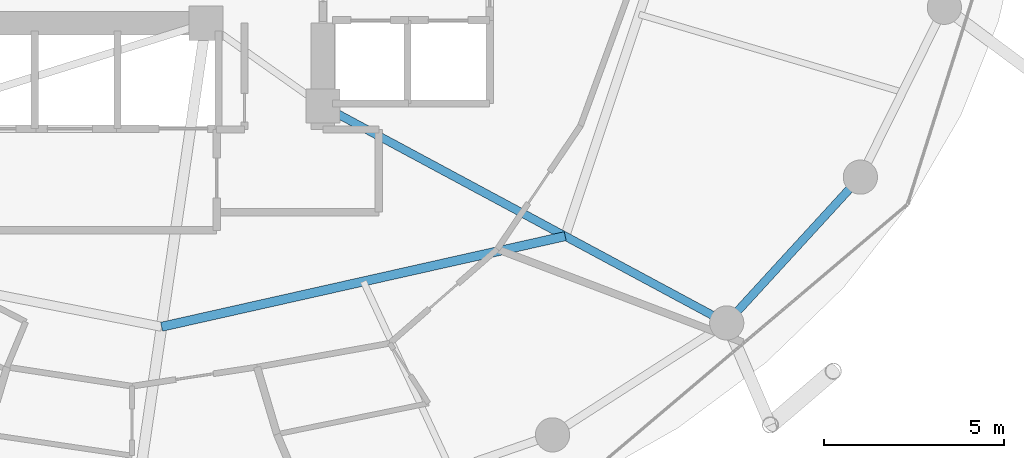
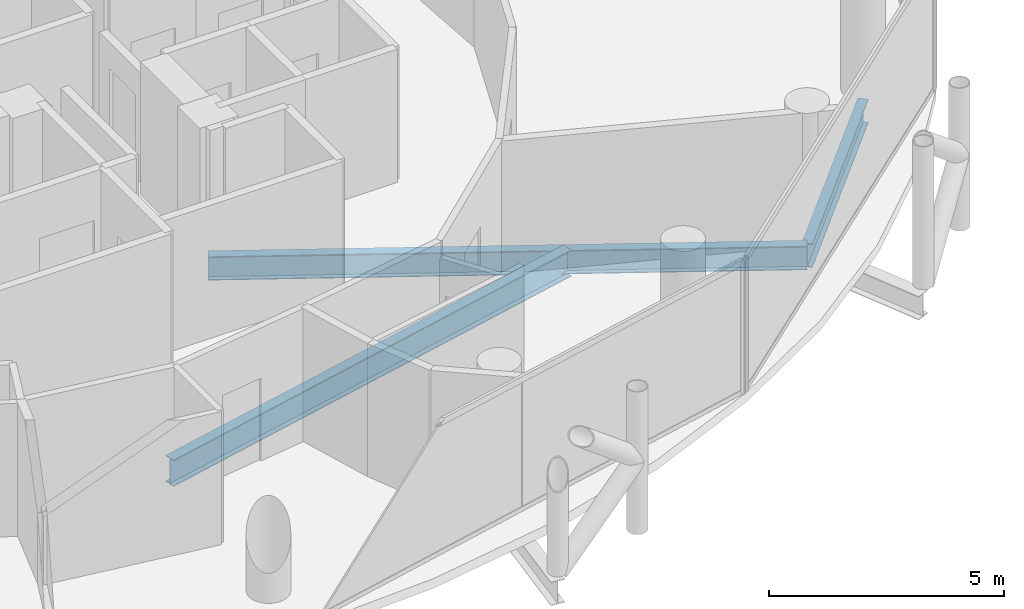
# One storey, part 9 of 26: 3 beams.
"""IFC4 building model written with IfcOpenShell, lengths in metres."""

import ifcopenshell
import ifcopenshell.guid

model = None  # the IFC model being written
_history = None  # IfcOwnerHistory: only IFC2X3 demands one
_inside = {}  # id of a spatial element -> (the spatial element, [elements in it])
_under = {}  # id of a project, library or spatial element -> (it, [spatial elements below it])
_declared = {}  # id of a project -> (the project, [libraries it declares])
_typed = {}  # id of a type object -> (the type object, [elements of that type])
_made_of = {}  # id of a material, layer set ... -> (it, [elements and type objects made of it])


def new_model(schema):
    """Start an empty IFC model of exactly this schema.

    Asked for "IFC4X3", IfcOpenShell would pick the latest addendum, in which some entities
    have other attributes; the version numbers below select the first issue.
    IFC2X3 requires an IfcOwnerHistory on every rooted entity: one is made here for all.
    """
    global model, _history
    if schema == "IFC4X3":
        model = ifcopenshell.file(schema_version=(4, 3, 0, 0))
    else:
        model = ifcopenshell.file(schema=schema)
    _inside.clear()
    _under.clear()
    _declared.clear()
    _typed.clear()
    _made_of.clear()
    _history = None
    if model.schema == "IFC2X3":
        org = make("IfcOrganization", Name="unknown")
        user = make(
            "IfcPersonAndOrganization",
            ThePerson=make("IfcPerson", FamilyName="unknown"),
            TheOrganization=org,
        )
        app = make(
            "IfcApplication",
            ApplicationDeveloper=org,
            Version="unknown",
            ApplicationFullName="unknown",
            ApplicationIdentifier="unknown",
        )
        _history = make(
            "IfcOwnerHistory",
            OwningUser=user,
            OwningApplication=app,
            ChangeAction="ADDED",
            CreationDate=0,
        )
    return model


def make(cls, **values):
    """One entity of the class cls with the attributes given. An attribute that is None is left unset."""
    return model.create_entity(
        cls, **{name: value for name, value in values.items() if value is not None}
    )


def rooted(cls, **values):
    """An entity with a GlobalId (a new one), such as an element, a storey or a relation."""
    return make(cls, GlobalId=ifcopenshell.guid.new(), OwnerHistory=_history, **values)


def si_unit(unit_type, name, prefix=None):
    """IfcSIUnit, for example si_unit("LENGTHUNIT", "METRE", prefix="MILLI")."""
    return make("IfcSIUnit", UnitType=unit_type, Prefix=prefix, Name=name)


def assignment(units):
    """IfcUnitAssignment: the units of a project."""
    return None if units is None else make("IfcUnitAssignment", Units=units)


def point(xyz):
    """IfcCartesianPoint."""
    return None if xyz is None else make("IfcCartesianPoint", Coordinates=xyz)


def direction(xyz):
    """IfcDirection."""
    return None if xyz is None else make("IfcDirection", DirectionRatios=xyz)


def frame(location, z_axis=None, x_axis=None):
    """IfcAxis2Placement3D, a coordinate frame: its origin and axes. An axis left out is left unset."""
    return make(
        "IfcAxis2Placement3D",
        Location=point(location),
        Axis=direction(z_axis),
        RefDirection=direction(x_axis),
    )


def frame_2d(location, x_axis=None):
    """IfcAxis2Placement2D, a coordinate frame in the plane: its origin and x axis."""
    return make(
        "IfcAxis2Placement2D", Location=point(location), RefDirection=direction(x_axis)
    )


def origin():
    """The frame at (0, 0, 0) with its axes left unset."""
    return frame((0.0, 0.0, 0.0))


def origin_2d():
    """The frame at (0, 0) in the plane with its x axis left unset."""
    return frame_2d((0.0, 0.0))


def place(relative_to, where):
    """IfcLocalPlacement: puts the frame where relative to a parent placement (None: the world)."""
    return make(
        "IfcLocalPlacement", PlacementRelTo=relative_to, RelativePlacement=where
    )


def context(
    kind, dimensions, precision=None, world=None, true_north=None, identifier=None
):
    """IfcGeometricRepresentationContext, for example the 3D "Model" context."""
    return make(
        "IfcGeometricRepresentationContext",
        ContextIdentifier=identifier,
        ContextType=kind,
        CoordinateSpaceDimension=dimensions,
        Precision=precision,
        WorldCoordinateSystem=world,
        TrueNorth=true_north,
    )


def subcontext(parent, identifier, kind, view, scale=None):
    """IfcGeometricRepresentationSubContext, for example "Body" below "Model"."""
    return make(
        "IfcGeometricRepresentationSubContext",
        ContextIdentifier=identifier,
        ContextType=kind,
        ParentContext=parent,
        TargetScale=scale,
        TargetView=view,
    )


def project(units=None, contexts=None):
    """IfcProject with its units and contexts."""
    return rooted(
        "IfcProject",
        Name="project",
        RepresentationContexts=contexts,
        UnitsInContext=assignment(units),
    )


def spatial(cls, under=None, at=None, **own):
    """A site, building, storey or space (cls), placed at a placement, below another one or the project."""
    s = rooted(cls, ObjectPlacement=at, **own)
    if under is not None:
        _under.setdefault(under.id(), (under, []))[1].append(s)
    return s


def profile(cls, at=None, kind="AREA", **sizes):
    """A parametric profile (cls). Its sizes go by their IFC names, for example OverallWidth=200.0."""
    return make(cls, ProfileType=kind, Position=at, **sizes)


def i_section(**sizes):
    """IfcIShapeProfileDef."""
    return profile("IfcIShapeProfileDef", **sizes)


def extrude(swept, where, along, depth):
    """IfcExtrudedAreaSolid: the profile swept, set in the frame where, extruded along a direction by depth."""
    return make(
        "IfcExtrudedAreaSolid",
        SweptArea=swept,
        Position=where,
        ExtrudedDirection=direction(along),
        Depth=depth,
    )


def shape(context_of_items, identifier, shape_type, items):
    """IfcShapeRepresentation: the items that make up one representation, for example the "Body"."""
    return make(
        "IfcShapeRepresentation",
        ContextOfItems=context_of_items,
        RepresentationIdentifier=identifier,
        RepresentationType=shape_type,
        Items=items,
    )


def material(Name=None, Category=None):
    """IfcMaterial."""
    return make("IfcMaterial", Name=Name, Category=Category)


def material_profile(
    of_material, cross_section, Name=None, Category=None, Priority=None
):
    """IfcMaterialProfile: a cross section and its material."""
    return make(
        "IfcMaterialProfile",
        Name=Name,
        Material=of_material,
        Profile=cross_section,
        Priority=Priority,
        Category=Category,
    )


def profile_set(profiles, Name=None, composite=None):
    """IfcMaterialProfileSet."""
    return make(
        "IfcMaterialProfileSet",
        Name=Name,
        MaterialProfiles=profiles,
        CompositeProfile=composite,
    )


def made_of(thing, what):
    """Note that an element or type object is made of a material, layer set ...; save() writes the relation."""
    if what is not None:
        _made_of.setdefault(what.id(), (what, []))[1].append(thing)
    return thing


def type_object(cls, material=None, **own):
    """A type object (cls), such as IfcWallType, which elements share."""
    return made_of(rooted(cls, **own), material)


def element(
    cls,
    number,
    at=None,
    inside=None,
    cuts=None,
    type_object=None,
    material=None,
    context=None,
    identifier="Body",
    shape_type=None,
    held_by="IfcProductDefinitionShape",
    body=None,
    shapes=None,
    **own,
):
    """One element of the class cls, such as IfcWall. Its Tag is "e" and its number.

    at: its placement. inside: the storey or other place that contains it. cuts: it is an
    opening in that element (IfcRelVoidsElement). A single representation is given by context,
    identifier, shape_type and body (its items); several are given by shapes. held_by: the class
    of the entity that holds the representations. save() writes the other relations.
    """
    e = rooted(cls, Tag="e%d" % number, ObjectPlacement=at, **own)
    if body is not None:
        shapes = [shape(context, identifier, shape_type, body)]
    if shapes is not None:
        e.Representation = make(held_by, Representations=shapes)
    if inside is not None:
        _inside.setdefault(inside.id(), (inside, []))[1].append(e)
    if cuts is not None:
        rooted(
            "IfcRelVoidsElement", RelatingBuildingElement=cuts, RelatedOpeningElement=e
        )
    if type_object is not None:
        _typed.setdefault(type_object.id(), (type_object, []))[1].append(e)
    return made_of(e, material)


def aggregate(whole, parts):
    """IfcRelAggregates: a whole, such as a stair, and the parts it consists of."""
    return rooted("IfcRelAggregates", RelatingObject=whole, RelatedObjects=parts)


def save(model, path):
    """Write the relations noted so far, then the file.

    IfcRelAggregates (storeys below a building ...), IfcRelContainedInSpatialStructure (elements
    in a storey), IfcRelDefinesByType, IfcRelAssociatesMaterial and IfcRelDeclares: one each for
    every whole, place, type object, material and project.
    """
    for whole, parts in _under.values():
        aggregate(whole, parts)
    for where, things in _inside.values():
        rooted(
            "IfcRelContainedInSpatialStructure",
            RelatedElements=things,
            RelatingStructure=where,
        )
    for kind, things in _typed.values():
        rooted("IfcRelDefinesByType", RelatedObjects=things, RelatingType=kind)
    for what, things in _made_of.values():
        rooted("IfcRelAssociatesMaterial", RelatedObjects=things, RelatingMaterial=what)
    for by, libraries in _declared.values():
        rooted("IfcRelDeclares", RelatingContext=by, RelatedDefinitions=libraries)
    model.write(path)


model = new_model("IFC4")

# Units and contexts
model_context = context("Model", 3, precision=1e-05, world=origin(), true_north=direction((0.0, 1.0)))
body_context = subcontext(model_context, "Body", "Model", "MODEL_VIEW")
ifc_project = project(units=[si_unit("LENGTHUNIT", "METRE"), si_unit("AREAUNIT", "SQUARE_METRE"), si_unit("VOLUMEUNIT", "CUBIC_METRE"), si_unit("PLANEANGLEUNIT", "RADIAN"), si_unit("MASSUNIT", "GRAM", prefix="KILO")], contexts=[model_context])

# Site, building, storey
site_placement = place(None, origin())
site = spatial("IfcSite", under=ifc_project, at=site_placement, CompositionType="ELEMENT")
building_placement = place(site_placement, origin())
building = spatial("IfcBuilding", under=site, at=building_placement, Name="Nuhasar Tower", CompositionType="ELEMENT")
storey_placement = place(building_placement, frame((0.0, 0.0, 144.14990234375)))
storey = spatial("IfcBuildingStorey", under=building, at=storey_placement, Name="L34", CompositionType="ELEMENT", Elevation=144.14990234375)

# Beams
ifc_material = material(Name="Steel S355", Category="steel")
ifc_material_profile_1 = material_profile(ifc_material, i_section(OverallWidth=0.25390625, OverallDepth=0.68408203125, WebThickness=0.012451171875, FlangeThickness=0.018798828125, at=origin_2d()), Name="W27X94")
ifc_profile_set_1 = profile_set([ifc_material_profile_1], Name="Steel S355")
beam_type_1 = type_object("IfcBeamType", Name="BM-INRING-W27X94", PredefinedType="BEAM", material=ifc_profile_set_1)
beam_1_placement = place(storey_placement, frame((39.820068359375, 12.8701171875, -0.591796875), z_axis=(0.975716159385, 0.219038755282, 0.0), x_axis=(-0.219038755282, 0.975716159385, 0.0)))
element("IfcBeam", 1, at=beam_1_placement, inside=storey, type_object=beam_type_1, Name="L34 Inner Header Beam 02", PredefinedType="BEAM", context=body_context, shape_type="SweptSolid", body=[
    extrude(i_section(OverallWidth=0.25390625, OverallDepth=0.68408203125, WebThickness=0.012451171875, FlangeThickness=0.018798828125, at=origin_2d()), origin(), (0.0, 0.0, 1.0), 11.48583984375),
])
ifc_material_profile_2 = material_profile(ifc_material, i_section(OverallWidth=0.22900390625, OverallDepth=0.612060546875, WebThickness=0.011962890625, FlangeThickness=0.01953125, at=origin_2d()), Name="W24X84")
ifc_profile_set_2 = profile_set([ifc_material_profile_2], Name="Steel S355")
beam_type_2 = type_object("IfcBeamType", Name="BM-RAD-W24X84", PredefinedType="BEAM", material=ifc_profile_set_2)
beam_2_placement = place(storey_placement, frame((44.300048828125, 19.0, -0.555908203125), z_axis=(0.880888386928, -0.473324043098, 0.0), x_axis=(0.473324043098, 0.880888386928, 0.0)))
element("IfcBeam", 2, at=beam_2_placement, inside=storey, type_object=beam_type_2, Name="L34 Radial Floor Girder 03", PredefinedType="BEAM", context=body_context, shape_type="SweptSolid", body=[
    extrude(i_section(OverallWidth=0.22900390625, OverallDepth=0.612060546875, WebThickness=0.011962890625, FlangeThickness=0.01953125, at=origin_2d()), origin(), (0.0, 0.0, 1.0), 12.726806640625),
])
ifc_material_profile_3 = material_profile(ifc_material, i_section(OverallWidth=0.22998046875, OverallDepth=0.616943359375, WebThickness=0.01318359375, FlangeThickness=0.022216796875, at=origin_2d()), Name="W24X94")
ifc_profile_set_3 = profile_set([ifc_material_profile_3], Name="Steel S355")
beam_type_3 = type_object("IfcBeamType", Name="BM-RING-W24X94", PredefinedType="SPANDREL", material=ifc_profile_set_3)
beam_3_placement = place(storey_placement, frame((55.510986328125, 12.97607421875, -0.558837890625), z_axis=(0.675676316545, 0.737198423262, 0.0), x_axis=(-0.737198423262, 0.675676316545, 0.0)))
element("IfcBeam", 3, at=beam_3_placement, inside=storey, type_object=beam_type_3, Name="L34 Perimeter Ring Spandrel 22", PredefinedType="SPANDREL", context=body_context, shape_type="SweptSolid", body=[
    extrude(i_section(OverallWidth=0.22998046875, OverallDepth=0.616943359375, WebThickness=0.01318359375, FlangeThickness=0.022216796875, at=origin_2d()), origin(), (0.0, 0.0, 1.0), 5.4921875),
])

save(model, "model.ifc")
